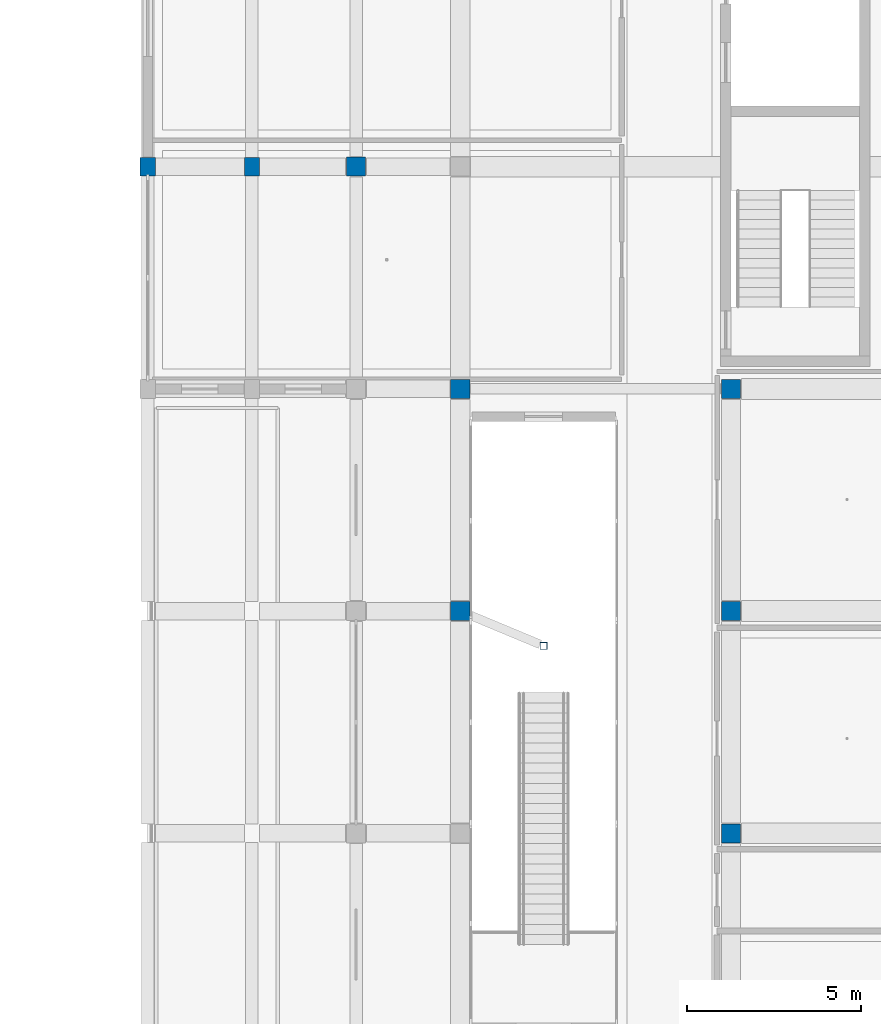
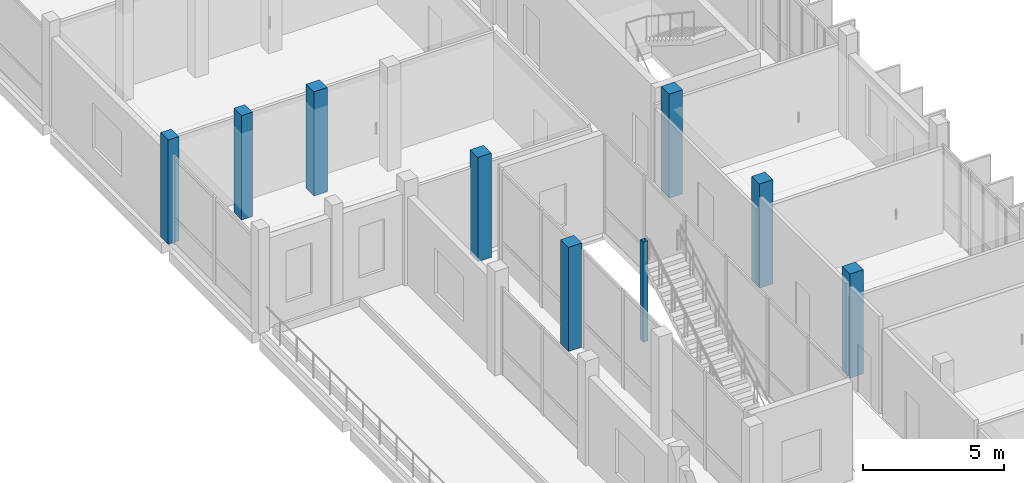
# One storey, part 14 of 95: 9 columns.
"""IFC4 building model written with IfcOpenShell, lengths in metres."""

from ifc_helpers import new_model, si_unit, derived_unit, direction, frame, origin, origin_2d, place, context, subcontext, project, spatial, rectangle, hollow_rectangle, extrude, material, material_profile, profile_set, type_object, element, save


model = new_model("IFC4")

# Units and contexts
model_context = context("Model", 3, precision=1e-05, world=origin(), true_north=direction((0.0, 1.0)))
body_context = subcontext(model_context, "Body", "Model", "MODEL_VIEW")
ifc_project = project(units=[si_unit("LENGTHUNIT", "METRE"), si_unit("AREAUNIT", "SQUARE_METRE"), si_unit("VOLUMEUNIT", "CUBIC_METRE"), si_unit("PLANEANGLEUNIT", "RADIAN"), si_unit("MASSUNIT", "GRAM", prefix="KILO"), derived_unit("THERMALTRANSMITTANCEUNIT", [(si_unit("POWERUNIT", "WATT"), 1), (si_unit("LENGTHUNIT", "METRE"), -2), (si_unit("THERMODYNAMICTEMPERATUREUNIT", "KELVIN"), -1)])], contexts=[model_context])

# Site, building, storey
site_placement = place(None, origin())
site = spatial("IfcSite", under=ifc_project, at=site_placement, CompositionType="ELEMENT")
building_placement = place(site_placement, origin())
building = spatial("IfcBuilding", under=site, at=building_placement, Name="Braskholm Square Health Centre", CompositionType="ELEMENT")
storey_placement = place(building_placement, frame((0.0, 0.0, 4.800048828125)))
storey = spatial("IfcBuildingStorey", under=building, at=storey_placement, Name="L02", CompositionType="ELEMENT", Elevation=4.800048828125)

# Columns
ifc_material_1 = material(Name="Concrete C40/50 (f'c = 40 MPa)", Category="concrete")
ifc_material_profile_1 = material_profile(ifc_material_1, rectangle(XDim=0.550048828125, YDim=0.550048828125, at=origin_2d()), Name="RC-550X550")
ifc_profile_set_1 = profile_set([ifc_material_profile_1], Name="Concrete C40/50 (f'c = 40 MPa)")
column_type_1 = type_object("IfcColumnType", Name="ColInteriorMid550", PredefinedType="COLUMN", material=ifc_profile_set_1)
for number, where, z_axis, x_axis, name in (
    (1, (145.800048828125, 55.39990234375, 0.0), (0.0, 0.0, 1.0), (1.0, 0.0, 0.0), "Column 19/J L02"),
    (2, (148.800048828125, 42.60009765625, 0.0), (0.0, 0.0, 1.0), (1.0, 0.0, 0.0), "Column 20/G L02"),
    (3, (148.800048828125, 49.0, 0.0), (0.0, 0.0, 1.0), (1.0, 0.0, 0.0), "Column 20/H L02"),
    (4, (156.60009765625, 36.199951171875, 0.0), (0.0, 0.0, 1.0), (1.0, 0.0, 0.0), "Column 21/F L02"),
    (5, (156.60009765625, 42.60009765625, 0.0), (0.0, 0.0, 1.0), (1.0, 0.0, 0.0), "Column 21/G L02"),
    (6, (156.60009765625, 49.0, 0.0), (0.0, 0.0, 1.0), (1.0, 0.0, 0.0), "Column 21/H L02"),
):
    element("IfcColumn", number, at=place(storey_placement, frame(where, z_axis=z_axis, x_axis=x_axis)), inside=storey, type_object=column_type_1, Name=name, PredefinedType="COLUMN", context=body_context, shape_type="SweptSolid", body=[
        extrude(rectangle(XDim=0.550048828125, YDim=0.550048828125, at=origin_2d()), origin(), (0.0, 0.0, 1.0), 4.5),
    ])
ifc_material_2 = material(Name="Precast concrete C40/50 architectural white", Category="concrete")
ifc_material_profile_2 = material_profile(ifc_material_2, rectangle(XDim=0.43994140625, YDim=0.5400390625, at=origin_2d()), Name="RC-440X540")
ifc_profile_set_2 = profile_set([ifc_material_profile_2], Name="Precast concrete C40/50 architectural white")
column_type_2 = type_object("IfcColumnType", Name="ColPilasterKasota440x540", PredefinedType="PILASTER", material=ifc_profile_set_2)
for number, where, z_axis, x_axis, name in (
    (7, (139.800048828125, 55.39990234375, 0.0), (0.0, 0.0, 1.0), (1.0, 0.0, 0.0), "Column 17/J L02"),
    (8, (142.800048828125, 55.39990234375, 0.0), (0.0, 0.0, 1.0), (1.0, 0.0, 0.0), "Column 18/J L02"),
):
    element("IfcColumn", number, at=place(storey_placement, frame(where, z_axis=z_axis, x_axis=x_axis)), inside=storey, type_object=column_type_2, Name=name, PredefinedType="PILASTER", context=body_context, shape_type="SweptSolid", body=[
        extrude(rectangle(XDim=0.43994140625, YDim=0.5400390625, at=origin_2d()), origin(), (0.0, 0.0, 1.0), 4.5),
    ])
ifc_material_3 = material(Name="Steel ASTM A500 Grade C", Category="steel")
ifc_material_profile_3 = material_profile(ifc_material_3, hollow_rectangle(XDim=0.203125, YDim=0.203125, WallThickness=0.0087890625, at=origin_2d()), Name="HSS8X8X3/8")
ifc_profile_set_3 = profile_set([ifc_material_profile_3], Name="Steel ASTM A500 Grade C")
column_type_3 = type_object("IfcColumnType", Name="ColSteelPorchHSS8", PredefinedType="COLUMN", material=ifc_profile_set_3)
column_placement = place(storey_placement, frame((151.199951171875, 41.60009765625, 0.0), z_axis=(0.0, 0.0, 1.0), x_axis=(1.0, 0.0, 0.0)))
element("IfcColumn", 9, at=column_placement, inside=storey, type_object=column_type_3, Name="Column CS3D L02", PredefinedType="COLUMN", context=body_context, shape_type="SweptSolid", body=[
    extrude(hollow_rectangle(XDim=0.203125, YDim=0.203125, WallThickness=0.0087890625, at=origin_2d()), origin(), (0.0, 0.0, 1.0), 4.320068359375),
])

save(model, "model.ifc")
